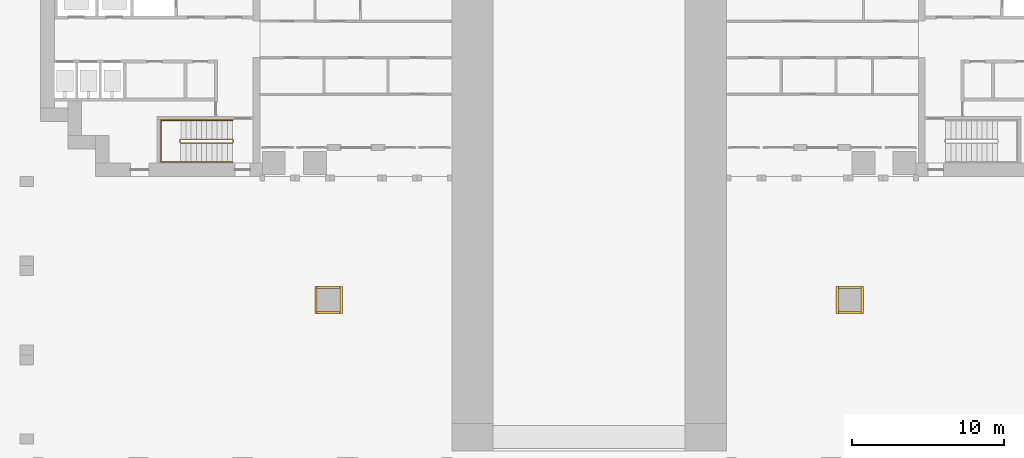
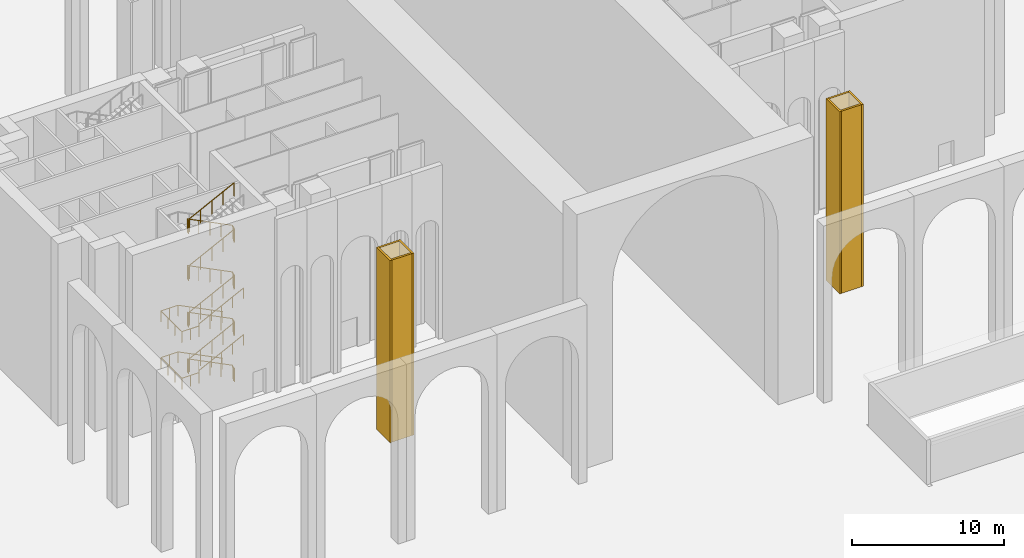
# One storey, part 12 of 18: 8 coverings, 3 railings.
"""IFC4 building model written with IfcOpenShell, lengths in metres."""

import ifcopenshell
import ifcopenshell.guid

model = None  # the IFC model being written
_history = None  # IfcOwnerHistory: only IFC2X3 demands one
_inside = {}  # id of a spatial element -> (the spatial element, [elements in it])
_under = {}  # id of a project, library or spatial element -> (it, [spatial elements below it])
_declared = {}  # id of a project -> (the project, [libraries it declares])
_typed = {}  # id of a type object -> (the type object, [elements of that type])
_made_of = {}  # id of a material, layer set ... -> (it, [elements and type objects made of it])


def new_model(schema):
    """Start an empty IFC model of exactly this schema.

    Asked for "IFC4X3", IfcOpenShell would pick the latest addendum, in which some entities
    have other attributes; the version numbers below select the first issue.
    IFC2X3 requires an IfcOwnerHistory on every rooted entity: one is made here for all.
    """
    global model, _history
    if schema == "IFC4X3":
        model = ifcopenshell.file(schema_version=(4, 3, 0, 0))
    else:
        model = ifcopenshell.file(schema=schema)
    _inside.clear()
    _under.clear()
    _declared.clear()
    _typed.clear()
    _made_of.clear()
    _history = None
    if model.schema == "IFC2X3":
        org = make("IfcOrganization", Name="unknown")
        user = make(
            "IfcPersonAndOrganization",
            ThePerson=make("IfcPerson", FamilyName="unknown"),
            TheOrganization=org,
        )
        app = make(
            "IfcApplication",
            ApplicationDeveloper=org,
            Version="unknown",
            ApplicationFullName="unknown",
            ApplicationIdentifier="unknown",
        )
        _history = make(
            "IfcOwnerHistory",
            OwningUser=user,
            OwningApplication=app,
            ChangeAction="ADDED",
            CreationDate=0,
        )
    return model


def make(cls, **values):
    """One entity of the class cls with the attributes given. An attribute that is None is left unset."""
    return model.create_entity(
        cls, **{name: value for name, value in values.items() if value is not None}
    )


def rooted(cls, **values):
    """An entity with a GlobalId (a new one), such as an element, a storey or a relation."""
    return make(cls, GlobalId=ifcopenshell.guid.new(), OwnerHistory=_history, **values)


def si_unit(unit_type, name, prefix=None):
    """IfcSIUnit, for example si_unit("LENGTHUNIT", "METRE", prefix="MILLI")."""
    return make("IfcSIUnit", UnitType=unit_type, Prefix=prefix, Name=name)


def assignment(units):
    """IfcUnitAssignment: the units of a project."""
    return None if units is None else make("IfcUnitAssignment", Units=units)


def point(xyz):
    """IfcCartesianPoint."""
    return None if xyz is None else make("IfcCartesianPoint", Coordinates=xyz)


def direction(xyz):
    """IfcDirection."""
    return None if xyz is None else make("IfcDirection", DirectionRatios=xyz)


def frame(location, z_axis=None, x_axis=None):
    """IfcAxis2Placement3D, a coordinate frame: its origin and axes. An axis left out is left unset."""
    return make(
        "IfcAxis2Placement3D",
        Location=point(location),
        Axis=direction(z_axis),
        RefDirection=direction(x_axis),
    )


def frame_2d(location, x_axis=None):
    """IfcAxis2Placement2D, a coordinate frame in the plane: its origin and x axis."""
    return make(
        "IfcAxis2Placement2D", Location=point(location), RefDirection=direction(x_axis)
    )


def origin():
    """The frame at (0, 0, 0) with its axes left unset."""
    return frame((0.0, 0.0, 0.0))


def origin_2d():
    """The frame at (0, 0) in the plane with its x axis left unset."""
    return frame_2d((0.0, 0.0))


def place(relative_to, where):
    """IfcLocalPlacement: puts the frame where relative to a parent placement (None: the world)."""
    return make(
        "IfcLocalPlacement", PlacementRelTo=relative_to, RelativePlacement=where
    )


def context(
    kind, dimensions, precision=None, world=None, true_north=None, identifier=None
):
    """IfcGeometricRepresentationContext, for example the 3D "Model" context."""
    return make(
        "IfcGeometricRepresentationContext",
        ContextIdentifier=identifier,
        ContextType=kind,
        CoordinateSpaceDimension=dimensions,
        Precision=precision,
        WorldCoordinateSystem=world,
        TrueNorth=true_north,
    )


def subcontext(parent, identifier, kind, view, scale=None):
    """IfcGeometricRepresentationSubContext, for example "Body" below "Model"."""
    return make(
        "IfcGeometricRepresentationSubContext",
        ContextIdentifier=identifier,
        ContextType=kind,
        ParentContext=parent,
        TargetScale=scale,
        TargetView=view,
    )


def project(units=None, contexts=None):
    """IfcProject with its units and contexts."""
    return rooted(
        "IfcProject",
        Name="project",
        RepresentationContexts=contexts,
        UnitsInContext=assignment(units),
    )


def spatial(cls, under=None, at=None, **own):
    """A site, building, storey or space (cls), placed at a placement, below another one or the project."""
    s = rooted(cls, ObjectPlacement=at, **own)
    if under is not None:
        _under.setdefault(under.id(), (under, []))[1].append(s)
    return s


def profile(cls, at=None, kind="AREA", **sizes):
    """A parametric profile (cls). Its sizes go by their IFC names, for example OverallWidth=200.0."""
    return make(cls, ProfileType=kind, Position=at, **sizes)


def rectangle(**sizes):
    """IfcRectangleProfileDef."""
    return profile("IfcRectangleProfileDef", **sizes)


def extrude(swept, where, along, depth):
    """IfcExtrudedAreaSolid: the profile swept, set in the frame where, extruded along a direction by depth."""
    return make(
        "IfcExtrudedAreaSolid",
        SweptArea=swept,
        Position=where,
        ExtrudedDirection=direction(along),
        Depth=depth,
    )


def shape(context_of_items, identifier, shape_type, items):
    """IfcShapeRepresentation: the items that make up one representation, for example the "Body"."""
    return make(
        "IfcShapeRepresentation",
        ContextOfItems=context_of_items,
        RepresentationIdentifier=identifier,
        RepresentationType=shape_type,
        Items=items,
    )


def material(Name=None, Category=None):
    """IfcMaterial."""
    return make("IfcMaterial", Name=Name, Category=Category)


def layer(
    of_material, thickness, ventilated=None, Name=None, Category=None, Priority=None
):
    """IfcMaterialLayer: one layer of a wall or slab, of a material (None: an air gap)."""
    return make(
        "IfcMaterialLayer",
        Material=of_material,
        LayerThickness=thickness,
        IsVentilated=ventilated,
        Name=Name,
        Category=Category,
        Priority=Priority,
    )


def layer_set(layers, Name=None):
    """IfcMaterialLayerSet."""
    return make("IfcMaterialLayerSet", MaterialLayers=layers, LayerSetName=Name)


def made_of(thing, what):
    """Note that an element or type object is made of a material, layer set ...; save() writes the relation."""
    if what is not None:
        _made_of.setdefault(what.id(), (what, []))[1].append(thing)
    return thing


def type_object(cls, material=None, **own):
    """A type object (cls), such as IfcWallType, which elements share."""
    return made_of(rooted(cls, **own), material)


def element(
    cls,
    number,
    at=None,
    inside=None,
    cuts=None,
    type_object=None,
    material=None,
    context=None,
    identifier="Body",
    shape_type=None,
    held_by="IfcProductDefinitionShape",
    body=None,
    shapes=None,
    **own,
):
    """One element of the class cls, such as IfcWall. Its Tag is "e" and its number.

    at: its placement. inside: the storey or other place that contains it. cuts: it is an
    opening in that element (IfcRelVoidsElement). A single representation is given by context,
    identifier, shape_type and body (its items); several are given by shapes. held_by: the class
    of the entity that holds the representations. save() writes the other relations.
    """
    e = rooted(cls, Tag="e%d" % number, ObjectPlacement=at, **own)
    if body is not None:
        shapes = [shape(context, identifier, shape_type, body)]
    if shapes is not None:
        e.Representation = make(held_by, Representations=shapes)
    if inside is not None:
        _inside.setdefault(inside.id(), (inside, []))[1].append(e)
    if cuts is not None:
        rooted(
            "IfcRelVoidsElement", RelatingBuildingElement=cuts, RelatedOpeningElement=e
        )
    if type_object is not None:
        _typed.setdefault(type_object.id(), (type_object, []))[1].append(e)
    return made_of(e, material)


def aggregate(whole, parts):
    """IfcRelAggregates: a whole, such as a stair, and the parts it consists of."""
    return rooted("IfcRelAggregates", RelatingObject=whole, RelatedObjects=parts)


def save(model, path):
    """Write the relations noted so far, then the file.

    IfcRelAggregates (storeys below a building ...), IfcRelContainedInSpatialStructure (elements
    in a storey), IfcRelDefinesByType, IfcRelAssociatesMaterial and IfcRelDeclares: one each for
    every whole, place, type object, material and project.
    """
    for whole, parts in _under.values():
        aggregate(whole, parts)
    for where, things in _inside.values():
        rooted(
            "IfcRelContainedInSpatialStructure",
            RelatedElements=things,
            RelatingStructure=where,
        )
    for kind, things in _typed.values():
        rooted("IfcRelDefinesByType", RelatedObjects=things, RelatingType=kind)
    for what, things in _made_of.values():
        rooted("IfcRelAssociatesMaterial", RelatedObjects=things, RelatingMaterial=what)
    for by, libraries in _declared.values():
        rooted("IfcRelDeclares", RelatingContext=by, RelatedDefinitions=libraries)
    model.write(path)


model = new_model("IFC4")

# Units and contexts
model_context = context("Model", 3, precision=1e-05, world=origin(), true_north=direction((0.0, 1.0)))
body_context = subcontext(model_context, "Body", "Model", "MODEL_VIEW")
ifc_project = project(units=[si_unit("LENGTHUNIT", "METRE"), si_unit("AREAUNIT", "SQUARE_METRE"), si_unit("VOLUMEUNIT", "CUBIC_METRE"), si_unit("PLANEANGLEUNIT", "RADIAN"), si_unit("MASSUNIT", "GRAM", prefix="KILO")], contexts=[model_context])

# Site, building, storey
site_placement = place(None, origin())
site = spatial("IfcSite", under=ifc_project, at=site_placement, CompositionType="ELEMENT")
building_placement = place(site_placement, origin())
building = spatial("IfcBuilding", under=site, at=building_placement, Name="Perihelion Cross Residences", CompositionType="ELEMENT")
storey_placement = place(building_placement, origin())
storey = spatial("IfcBuildingStorey", under=building, at=storey_placement, Name="L00", CompositionType="ELEMENT", Elevation=0.0)

# Coverings
ifc_material_1 = material(Name="Bronze anodised aluminium", Category="aluminium")
ifc_layer = layer(ifc_material_1, 0.14990234375)
ifc_layer_set = layer_set([ifc_layer], Name="Bronze clad corner pier 150")
covering_type = type_object("IfcCoveringType", Name="Bronze clad corner pier 150", PredefinedType="CLADDING", material=ifc_layer_set)
covering_1_placement = place(storey_placement, frame((-17.925048828125, -17.10009765625, 0.06005859375), z_axis=(0.0, 0.0, 1.0), x_axis=(1.0, 0.0, 0.0)))
element("IfcCovering", 1, at=covering_1_placement, inside=storey, type_object=covering_type, Name="Cladding CP1 L00 casing east-west no. 1", PredefinedType="CLADDING", context=body_context, shape_type="SweptSolid", body=[
    extrude(rectangle(XDim=0.14990234375, YDim=1.800048828125, at=origin_2d()), origin(), (0.0, 0.0, 1.0), 14.639892578125),
])
covering_2_placement = place(storey_placement, frame((-17.10009765625, -17.925048828125, 0.06005859375), z_axis=(0.0, 0.0, 1.0), x_axis=(1.0, 0.0, 0.0)))
element("IfcCovering", 2, at=covering_2_placement, inside=storey, type_object=covering_type, Name="Cladding CP1 L00 casing north-south no. 1", PredefinedType="CLADDING", context=body_context, shape_type="SweptSolid", body=[
    extrude(rectangle(XDim=1.5, YDim=0.14990234375, at=origin_2d()), origin(), (0.0, 0.0, 1.0), 14.639892578125),
])
covering_3_placement = place(storey_placement, frame((-16.27490234375, -17.10009765625, 0.06005859375), z_axis=(0.0, 0.0, 1.0), x_axis=(1.0, 0.0, 0.0)))
element("IfcCovering", 3, at=covering_3_placement, inside=storey, type_object=covering_type, Name="Cladding CP1 L00 casing inner east-west no. 1", PredefinedType="CLADDING", context=body_context, shape_type="SweptSolid", body=[
    extrude(rectangle(XDim=0.14990234375, YDim=1.800048828125, at=origin_2d()), origin(), (0.0, 0.0, 1.0), 14.639892578125),
])
covering_4_placement = place(storey_placement, frame((-17.10009765625, -16.27490234375, 0.06005859375), z_axis=(0.0, 0.0, 1.0), x_axis=(1.0, 0.0, 0.0)))
element("IfcCovering", 4, at=covering_4_placement, inside=storey, type_object=covering_type, Name="Cladding CP1 L00 casing inner north-south no. 1", PredefinedType="CLADDING", context=body_context, shape_type="SweptSolid", body=[
    extrude(rectangle(XDim=1.5, YDim=0.14990234375, at=origin_2d()), origin(), (0.0, 0.0, 1.0), 14.639892578125),
])
covering_5_placement = place(storey_placement, frame((17.925048828125, -17.10009765625, 0.06005859375), z_axis=(0.0, 0.0, 1.0), x_axis=(1.0, 0.0, 0.0)))
element("IfcCovering", 5, at=covering_5_placement, inside=storey, type_object=covering_type, Name="Cladding CP1 L00 casing east-west no. 3", PredefinedType="CLADDING", context=body_context, shape_type="SweptSolid", body=[
    extrude(rectangle(XDim=0.14990234375, YDim=1.800048828125, at=origin_2d()), origin(), (0.0, 0.0, 1.0), 14.639892578125),
])
covering_6_placement = place(storey_placement, frame((17.10009765625, -17.925048828125, 0.06005859375), z_axis=(0.0, 0.0, 1.0), x_axis=(1.0, 0.0, 0.0)))
element("IfcCovering", 6, at=covering_6_placement, inside=storey, type_object=covering_type, Name="Cladding CP1 L00 casing north-south no. 3", PredefinedType="CLADDING", context=body_context, shape_type="SweptSolid", body=[
    extrude(rectangle(XDim=1.5, YDim=0.14990234375, at=origin_2d()), origin(), (0.0, 0.0, 1.0), 14.639892578125),
])
covering_7_placement = place(storey_placement, frame((16.27490234375, -17.10009765625, 0.06005859375), z_axis=(0.0, 0.0, 1.0), x_axis=(1.0, 0.0, 0.0)))
element("IfcCovering", 7, at=covering_7_placement, inside=storey, type_object=covering_type, Name="Cladding CP1 L00 casing inner east-west no. 3", PredefinedType="CLADDING", context=body_context, shape_type="SweptSolid", body=[
    extrude(rectangle(XDim=0.14990234375, YDim=1.800048828125, at=origin_2d()), origin(), (0.0, 0.0, 1.0), 14.639892578125),
])
covering_8_placement = place(storey_placement, frame((17.10009765625, -16.27490234375, 0.06005859375), z_axis=(0.0, 0.0, 1.0), x_axis=(1.0, 0.0, 0.0)))
element("IfcCovering", 8, at=covering_8_placement, inside=storey, type_object=covering_type, Name="Cladding CP1 L00 casing inner north-south no. 3", PredefinedType="CLADDING", context=body_context, shape_type="SweptSolid", body=[
    extrude(rectangle(XDim=1.5, YDim=0.14990234375, at=origin_2d()), origin(), (0.0, 0.0, 1.0), 14.639892578125),
])

# Railings
ifc_material_2 = material(Name="Stainless steel", Category="steel")
railing_type_1 = type_object("IfcRailingType", Name="Stair guard 1100", PredefinedType="GUARDRAIL", material=ifc_material_2)
railing_1_placement = place(storey_placement, frame((-23.35009765625, -6.75, 0.0)))
element("IfcRailing", 9, at=railing_1_placement, inside=storey, type_object=railing_type_1, Name="L00 ST-W2 stair guard 1", PredefinedType="GUARDRAIL", context=body_context, shape_type="SweptSolid", body=[
    extrude(rectangle(XDim=0.048095703125, YDim=0.048095703125, at=origin_2d()), frame((0.0, 0.0, 1.076171875), z_axis=(0.0, 1.0, 0.0), x_axis=(-1.0, 0.0, 0.0)), (0.0, 0.0, 1.0), 0.14990234375),
    extrude(rectangle(XDim=0.048095703125, YDim=0.048095703125, at=origin_2d()), frame((0.0, 0.14990234375, 1.076171875), z_axis=(-0.270004540015, 0.271328091682, 0.923839063385), x_axis=(-0.708833529934, -0.705375805398, 0.0)), (0.0, 0.0, 1.0), 0.1845703125),
    extrude(rectangle(XDim=0.048095703125, YDim=0.048095703125, at=origin_2d()), frame((-0.0498046875, 0.199951171875, 1.24658203125), z_axis=(-0.893951692422, 0.0, 0.448163331406), x_axis=(0.0, -1.0, 0.0)), (0.0, 0.0, 1.0), 3.803466796875),
    extrude(rectangle(XDim=0.048095703125, YDim=0.048095703125, at=origin_2d()), frame((-3.449951171875, 0.199951171875, 2.951171875), z_axis=(-0.707106781187, -0.707106781187, 0.0), x_axis=(0.707106781187, -0.707106781187, 0.0)), (0.0, 0.0, 1.0), 0.07080078125),
    extrude(rectangle(XDim=0.048095703125, YDim=0.048095703125, at=origin_2d()), frame((-3.5, 0.14990234375, 2.951171875), z_axis=(0.0, -1.0, 0.0), x_axis=(1.0, 0.0, 0.0)), (0.0, 0.0, 1.0), 0.14990234375),
    extrude(rectangle(XDim=0.048095703125, YDim=0.048095703125, at=origin_2d()), frame((-3.5, 0.0, 2.951171875), z_axis=(0.271230943075, -0.271230943075, 0.923508284228), x_axis=(0.707106781187, 0.707106781187, 0.0)), (0.0, 0.0, 1.0), 0.1845703125),
    extrude(rectangle(XDim=0.048095703125, YDim=0.048095703125, at=origin_2d()), frame((-3.449951171875, -0.050048828125, 3.12158203125), z_axis=(0.893951692422, 0.0, 0.448163331406), x_axis=(0.0, 1.0, 0.0)), (0.0, 0.0, 1.0), 3.803466796875),
    extrude(rectangle(XDim=0.048095703125, YDim=0.048095703125, at=origin_2d()), frame((-0.0498046875, -0.050048828125, 4.826171875), z_axis=(0.241699205484, 0.970351222016, 0.0), x_axis=(-0.970351222016, 0.241699205484, 0.0)), (0.0, 0.0, 1.0), 0.2060546875),
    extrude(rectangle(XDim=0.048095703125, YDim=0.048095703125, at=origin_2d()), frame((0.0, 0.14990234375, 4.826171875), z_axis=(0.0, -1.0, 0.0), x_axis=(1.0, 0.0, 0.0)), (0.0, 0.0, 1.0), 0.14990234375),
    extrude(rectangle(XDim=0.048095703125, YDim=0.048095703125, at=origin_2d()), frame((0.0, 0.0, 4.826171875), z_axis=(-0.186258189966, 0.747771850895, 0.637295179395), x_axis=(-0.970351222016, -0.241699205484, 0.0)), (0.0, 0.0, 1.0), 0.267333984375),
    extrude(rectangle(XDim=0.048095703125, YDim=0.048095703125, at=origin_2d()), frame((-0.0498046875, 0.199951171875, 4.99658203125), z_axis=(-0.893951692422, 0.0, 0.448163331406), x_axis=(0.0, -1.0, 0.0)), (0.0, 0.0, 1.0), 3.803466796875),
    extrude(rectangle(XDim=0.048095703125, YDim=0.048095703125, at=origin_2d()), frame((-3.449951171875, 0.199951171875, 6.701171875), z_axis=(-0.707106781187, -0.707106781187, 0.0), x_axis=(0.707106781187, -0.707106781187, 0.0)), (0.0, 0.0, 1.0), 0.07080078125),
    extrude(rectangle(XDim=0.048095703125, YDim=0.048095703125, at=origin_2d()), frame((-3.5, 0.14990234375, 6.701171875), z_axis=(0.0, -1.0, 0.0), x_axis=(1.0, 0.0, 0.0)), (0.0, 0.0, 1.0), 0.14990234375),
    extrude(rectangle(XDim=0.048095703125, YDim=0.048095703125, at=origin_2d()), frame((-3.5, 0.0, 6.701171875), z_axis=(0.271230943075, -0.271230943075, 0.923508284228), x_axis=(0.707106781187, 0.707106781187, 0.0)), (0.0, 0.0, 1.0), 0.1845703125),
    extrude(rectangle(XDim=0.048095703125, YDim=0.048095703125, at=origin_2d()), frame((-3.449951171875, -0.050048828125, 6.87158203125), z_axis=(0.893951692422, 0.0, 0.448163331406), x_axis=(0.0, 1.0, 0.0)), (0.0, 0.0, 1.0), 3.803466796875),
    extrude(rectangle(XDim=0.048095703125, YDim=0.048095703125, at=origin_2d()), frame((-0.0498046875, -0.050048828125, 8.576171875), z_axis=(0.241699205484, 0.970351222016, 0.0), x_axis=(-0.970351222016, 0.241699205484, 0.0)), (0.0, 0.0, 1.0), 0.2060546875),
    extrude(rectangle(XDim=0.048095703125, YDim=0.048095703125, at=origin_2d()), frame((0.0, 0.14990234375, 8.576171875), z_axis=(0.0, -1.0, 0.0), x_axis=(1.0, 0.0, 0.0)), (0.0, 0.0, 1.0), 0.14990234375),
    extrude(rectangle(XDim=0.048095703125, YDim=0.048095703125, at=origin_2d()), frame((0.0, 0.0, 8.576171875), z_axis=(-0.186258189966, 0.747771850895, 0.637295179395), x_axis=(-0.970351222016, -0.241699205484, 0.0)), (0.0, 0.0, 1.0), 0.267333984375),
    extrude(rectangle(XDim=0.048095703125, YDim=0.048095703125, at=origin_2d()), frame((-0.0498046875, 0.199951171875, 8.74658203125), z_axis=(-0.893951692422, 0.0, 0.448163331406), x_axis=(0.0, -1.0, 0.0)), (0.0, 0.0, 1.0), 3.803466796875),
    extrude(rectangle(XDim=0.048095703125, YDim=0.048095703125, at=origin_2d()), frame((-3.449951171875, 0.199951171875, 10.451171875), z_axis=(-0.707106781187, -0.707106781187, 0.0), x_axis=(0.707106781187, -0.707106781187, 0.0)), (0.0, 0.0, 1.0), 0.07080078125),
    extrude(rectangle(XDim=0.048095703125, YDim=0.048095703125, at=origin_2d()), frame((-3.5, 0.14990234375, 10.451171875), z_axis=(0.0, -1.0, 0.0), x_axis=(1.0, 0.0, 0.0)), (0.0, 0.0, 1.0), 0.14990234375),
    extrude(rectangle(XDim=0.048095703125, YDim=0.048095703125, at=origin_2d()), frame((-3.5, 0.0, 10.451171875), z_axis=(0.271230943075, -0.271230943075, 0.923508284228), x_axis=(0.707106781187, 0.707106781187, 0.0)), (0.0, 0.0, 1.0), 0.1845703125),
    extrude(rectangle(XDim=0.048095703125, YDim=0.048095703125, at=origin_2d()), frame((-3.449951171875, -0.050048828125, 10.62158203125), z_axis=(0.893951692422, 0.0, 0.448163331406), x_axis=(0.0, 1.0, 0.0)), (0.0, 0.0, 1.0), 3.803466796875),
    extrude(rectangle(XDim=0.048095703125, YDim=0.048095703125, at=origin_2d()), frame((-0.0498046875, -0.050048828125, 12.326171875), z_axis=(0.241699205484, 0.970351222016, 0.0), x_axis=(-0.970351222016, 0.241699205484, 0.0)), (0.0, 0.0, 1.0), 0.2060546875),
    extrude(rectangle(XDim=0.048095703125, YDim=0.048095703125, at=origin_2d()), frame((0.0, 0.14990234375, 12.326171875), z_axis=(0.0, -1.0, 0.0), x_axis=(1.0, 0.0, 0.0)), (0.0, 0.0, 1.0), 0.14990234375),
    extrude(rectangle(XDim=0.048095703125, YDim=0.048095703125, at=origin_2d()), frame((0.0, 0.0, 12.326171875), z_axis=(-0.186258189966, 0.747771850895, 0.637295179395), x_axis=(-0.970351222016, -0.241699205484, 0.0)), (0.0, 0.0, 1.0), 0.267333984375),
    extrude(rectangle(XDim=0.048095703125, YDim=0.048095703125, at=origin_2d()), frame((-0.0498046875, 0.199951171875, 12.49658203125), z_axis=(-0.893951692422, 0.0, 0.448163331406), x_axis=(0.0, -1.0, 0.0)), (0.0, 0.0, 1.0), 3.803466796875),
    extrude(rectangle(XDim=0.048095703125, YDim=0.048095703125, at=origin_2d()), frame((-3.449951171875, 0.199951171875, 14.201171875), z_axis=(-0.707106781187, -0.707106781187, 0.0), x_axis=(0.707106781187, -0.707106781187, 0.0)), (0.0, 0.0, 1.0), 0.07080078125),
    extrude(rectangle(XDim=0.048095703125, YDim=0.048095703125, at=origin_2d()), frame((-3.5, 0.14990234375, 14.201171875), z_axis=(0.0, -1.0, 0.0), x_axis=(1.0, 0.0, 0.0)), (0.0, 0.0, 1.0), 0.14990234375),
    extrude(rectangle(XDim=0.048095703125, YDim=0.048095703125, at=origin_2d()), frame((-3.5, 0.0, 14.201171875), z_axis=(0.271230943075, -0.271230943075, 0.923508284228), x_axis=(0.707106781187, 0.707106781187, 0.0)), (0.0, 0.0, 1.0), 0.1845703125),
    extrude(rectangle(XDim=0.048095703125, YDim=0.048095703125, at=origin_2d()), frame((-3.449951171875, -0.050048828125, 14.37158203125), z_axis=(0.893951692422, 0.0, 0.448163331406), x_axis=(0.0, 1.0, 0.0)), (0.0, 0.0, 1.0), 3.803466796875),
    extrude(rectangle(XDim=0.0419921875, YDim=0.0419921875, at=origin_2d()), origin(), (0.0, 0.0, 1.0), 1.052001953125),
    extrude(rectangle(XDim=0.0419921875, YDim=0.0419921875, at=origin_2d()), frame((0.0, 0.14990234375, 0.0)), (0.0, 0.0, 1.0), 1.052001953125),
    extrude(rectangle(XDim=0.0419921875, YDim=0.0419921875, at=origin_2d()), frame((-0.0498046875, 0.199951171875, 0.17041015625)), (0.0, 0.0, 1.0), 1.052001953125),
    extrude(rectangle(XDim=0.0419921875, YDim=0.0419921875, at=origin_2d()), frame((-0.89990234375, 0.199951171875, 0.5966796875)), (0.0, 0.0, 1.0), 1.052001953125),
    extrude(rectangle(XDim=0.0419921875, YDim=0.0419921875, at=origin_2d()), frame((-1.75, 0.199951171875, 1.022705078125)), (0.0, 0.0, 1.0), 1.052001953125),
    extrude(rectangle(XDim=0.0419921875, YDim=0.0419921875, at=origin_2d()), frame((-2.599853515625, 0.199951171875, 1.44873046875)), (0.0, 0.0, 1.0), 1.052001953125),
    extrude(rectangle(XDim=0.0419921875, YDim=0.0419921875, at=origin_2d()), frame((-3.449951171875, 0.199951171875, 1.875)), (0.0, 0.0, 1.0), 1.052001953125),
    extrude(rectangle(XDim=0.0419921875, YDim=0.0419921875, at=origin_2d()), frame((-3.5, 0.14990234375, 1.875)), (0.0, 0.0, 1.0), 1.052001953125),
    extrude(rectangle(XDim=0.0419921875, YDim=0.0419921875, at=origin_2d()), frame((-3.5, 0.0, 1.875)), (0.0, 0.0, 1.0), 1.052001953125),
    extrude(rectangle(XDim=0.0419921875, YDim=0.0419921875, at=origin_2d()), frame((-3.449951171875, -0.050048828125, 2.04541015625)), (0.0, 0.0, 1.0), 1.052001953125),
    extrude(rectangle(XDim=0.0419921875, YDim=0.0419921875, at=origin_2d()), frame((-2.599853515625, -0.050048828125, 2.4716796875)), (0.0, 0.0, 1.0), 1.052001953125),
    extrude(rectangle(XDim=0.0419921875, YDim=0.0419921875, at=origin_2d()), frame((-1.75, -0.050048828125, 2.897705078125)), (0.0, 0.0, 1.0), 1.052001953125),
    extrude(rectangle(XDim=0.0419921875, YDim=0.0419921875, at=origin_2d()), frame((-0.89990234375, -0.050048828125, 3.32373046875)), (0.0, 0.0, 1.0), 1.052001953125),
    extrude(rectangle(XDim=0.0419921875, YDim=0.0419921875, at=origin_2d()), frame((-0.0498046875, -0.050048828125, 3.75)), (0.0, 0.0, 1.0), 1.052001953125),
    extrude(rectangle(XDim=0.0419921875, YDim=0.0419921875, at=origin_2d()), frame((0.0, 0.14990234375, 3.75)), (0.0, 0.0, 1.0), 1.052001953125),
    extrude(rectangle(XDim=0.0419921875, YDim=0.0419921875, at=origin_2d()), frame((0.0, 0.0, 3.75)), (0.0, 0.0, 1.0), 1.052001953125),
    extrude(rectangle(XDim=0.0419921875, YDim=0.0419921875, at=origin_2d()), frame((-0.0498046875, 0.199951171875, 3.92041015625)), (0.0, 0.0, 1.0), 1.052001953125),
    extrude(rectangle(XDim=0.0419921875, YDim=0.0419921875, at=origin_2d()), frame((-0.89990234375, 0.199951171875, 4.3466796875)), (0.0, 0.0, 1.0), 1.052001953125),
    extrude(rectangle(XDim=0.0419921875, YDim=0.0419921875, at=origin_2d()), frame((-1.75, 0.199951171875, 4.772705078125)), (0.0, 0.0, 1.0), 1.052001953125),
    extrude(rectangle(XDim=0.0419921875, YDim=0.0419921875, at=origin_2d()), frame((-2.599853515625, 0.199951171875, 5.19873046875)), (0.0, 0.0, 1.0), 1.052001953125),
    extrude(rectangle(XDim=0.0419921875, YDim=0.0419921875, at=origin_2d()), frame((-3.449951171875, 0.199951171875, 5.625)), (0.0, 0.0, 1.0), 1.052001953125),
    extrude(rectangle(XDim=0.0419921875, YDim=0.0419921875, at=origin_2d()), frame((-3.5, 0.14990234375, 5.625)), (0.0, 0.0, 1.0), 1.052001953125),
    extrude(rectangle(XDim=0.0419921875, YDim=0.0419921875, at=origin_2d()), frame((-3.5, 0.0, 5.625)), (0.0, 0.0, 1.0), 1.052001953125),
    extrude(rectangle(XDim=0.0419921875, YDim=0.0419921875, at=origin_2d()), frame((-3.449951171875, -0.050048828125, 5.79541015625)), (0.0, 0.0, 1.0), 1.052001953125),
    extrude(rectangle(XDim=0.0419921875, YDim=0.0419921875, at=origin_2d()), frame((-2.599853515625, -0.050048828125, 6.2216796875)), (0.0, 0.0, 1.0), 1.052001953125),
    extrude(rectangle(XDim=0.0419921875, YDim=0.0419921875, at=origin_2d()), frame((-1.75, -0.050048828125, 6.647705078125)), (0.0, 0.0, 1.0), 1.052001953125),
    extrude(rectangle(XDim=0.0419921875, YDim=0.0419921875, at=origin_2d()), frame((-0.89990234375, -0.050048828125, 7.07373046875)), (0.0, 0.0, 1.0), 1.052001953125),
    extrude(rectangle(XDim=0.0419921875, YDim=0.0419921875, at=origin_2d()), frame((-0.0498046875, -0.050048828125, 7.5)), (0.0, 0.0, 1.0), 1.052001953125),
    extrude(rectangle(XDim=0.0419921875, YDim=0.0419921875, at=origin_2d()), frame((0.0, 0.14990234375, 7.5)), (0.0, 0.0, 1.0), 1.052001953125),
    extrude(rectangle(XDim=0.0419921875, YDim=0.0419921875, at=origin_2d()), frame((0.0, 0.0, 7.5)), (0.0, 0.0, 1.0), 1.052001953125),
    extrude(rectangle(XDim=0.0419921875, YDim=0.0419921875, at=origin_2d()), frame((-0.0498046875, 0.199951171875, 7.67041015625)), (0.0, 0.0, 1.0), 1.052001953125),
    extrude(rectangle(XDim=0.0419921875, YDim=0.0419921875, at=origin_2d()), frame((-0.89990234375, 0.199951171875, 8.0966796875)), (0.0, 0.0, 1.0), 1.052001953125),
    extrude(rectangle(XDim=0.0419921875, YDim=0.0419921875, at=origin_2d()), frame((-1.75, 0.199951171875, 8.522705078125)), (0.0, 0.0, 1.0), 1.052001953125),
    extrude(rectangle(XDim=0.0419921875, YDim=0.0419921875, at=origin_2d()), frame((-2.599853515625, 0.199951171875, 8.94873046875)), (0.0, 0.0, 1.0), 1.052001953125),
    extrude(rectangle(XDim=0.0419921875, YDim=0.0419921875, at=origin_2d()), frame((-3.449951171875, 0.199951171875, 9.375)), (0.0, 0.0, 1.0), 1.052001953125),
    extrude(rectangle(XDim=0.0419921875, YDim=0.0419921875, at=origin_2d()), frame((-3.5, 0.14990234375, 9.375)), (0.0, 0.0, 1.0), 1.052001953125),
    extrude(rectangle(XDim=0.0419921875, YDim=0.0419921875, at=origin_2d()), frame((-3.5, 0.0, 9.375)), (0.0, 0.0, 1.0), 1.052001953125),
    extrude(rectangle(XDim=0.0419921875, YDim=0.0419921875, at=origin_2d()), frame((-3.449951171875, -0.050048828125, 9.54541015625)), (0.0, 0.0, 1.0), 1.052001953125),
    extrude(rectangle(XDim=0.0419921875, YDim=0.0419921875, at=origin_2d()), frame((-2.599853515625, -0.050048828125, 9.9716796875)), (0.0, 0.0, 1.0), 1.052001953125),
    extrude(rectangle(XDim=0.0419921875, YDim=0.0419921875, at=origin_2d()), frame((-1.75, -0.050048828125, 10.397705078125)), (0.0, 0.0, 1.0), 1.052001953125),
    extrude(rectangle(XDim=0.0419921875, YDim=0.0419921875, at=origin_2d()), frame((-0.89990234375, -0.050048828125, 10.82373046875)), (0.0, 0.0, 1.0), 1.052001953125),
    extrude(rectangle(XDim=0.0419921875, YDim=0.0419921875, at=origin_2d()), frame((-0.0498046875, -0.050048828125, 11.25)), (0.0, 0.0, 1.0), 1.052001953125),
    extrude(rectangle(XDim=0.0419921875, YDim=0.0419921875, at=origin_2d()), frame((0.0, 0.14990234375, 11.25)), (0.0, 0.0, 1.0), 1.052001953125),
    extrude(rectangle(XDim=0.0419921875, YDim=0.0419921875, at=origin_2d()), frame((0.0, 0.0, 11.25)), (0.0, 0.0, 1.0), 1.052001953125),
    extrude(rectangle(XDim=0.0419921875, YDim=0.0419921875, at=origin_2d()), frame((-0.0498046875, 0.199951171875, 11.42041015625)), (0.0, 0.0, 1.0), 1.052001953125),
    extrude(rectangle(XDim=0.0419921875, YDim=0.0419921875, at=origin_2d()), frame((-0.89990234375, 0.199951171875, 11.8466796875)), (0.0, 0.0, 1.0), 1.052001953125),
    extrude(rectangle(XDim=0.0419921875, YDim=0.0419921875, at=origin_2d()), frame((-1.75, 0.199951171875, 12.272705078125)), (0.0, 0.0, 1.0), 1.052001953125),
    extrude(rectangle(XDim=0.0419921875, YDim=0.0419921875, at=origin_2d()), frame((-2.599853515625, 0.199951171875, 12.69873046875)), (0.0, 0.0, 1.0), 1.052001953125),
    extrude(rectangle(XDim=0.0419921875, YDim=0.0419921875, at=origin_2d()), frame((-3.449951171875, 0.199951171875, 13.125)), (0.0, 0.0, 1.0), 1.052001953125),
    extrude(rectangle(XDim=0.0419921875, YDim=0.0419921875, at=origin_2d()), frame((-3.5, 0.14990234375, 13.125)), (0.0, 0.0, 1.0), 1.052001953125),
    extrude(rectangle(XDim=0.0419921875, YDim=0.0419921875, at=origin_2d()), frame((-3.5, 0.0, 13.125)), (0.0, 0.0, 1.0), 1.052001953125),
    extrude(rectangle(XDim=0.0419921875, YDim=0.0419921875, at=origin_2d()), frame((-3.449951171875, -0.050048828125, 13.29541015625)), (0.0, 0.0, 1.0), 1.052001953125),
    extrude(rectangle(XDim=0.0419921875, YDim=0.0419921875, at=origin_2d()), frame((-2.599853515625, -0.050048828125, 13.7216796875)), (0.0, 0.0, 1.0), 1.052001953125),
    extrude(rectangle(XDim=0.0419921875, YDim=0.0419921875, at=origin_2d()), frame((-1.75, -0.050048828125, 14.147705078125)), (0.0, 0.0, 1.0), 1.052001953125),
    extrude(rectangle(XDim=0.0419921875, YDim=0.0419921875, at=origin_2d()), frame((-0.89990234375, -0.050048828125, 14.57373046875)), (0.0, 0.0, 1.0), 1.052001953125),
    extrude(rectangle(XDim=0.0419921875, YDim=0.0419921875, at=origin_2d()), frame((-0.0498046875, -0.050048828125, 15.0)), (0.0, 0.0, 1.0), 1.052001953125),
])
ifc_material_3 = material(Name="Stainless steel", Category="steel")
railing_type_2 = type_object("IfcRailingType", Name="Stair handrail 900", PredefinedType="HANDRAIL", material=ifc_material_3)
railing_2_placement = place(storey_placement, frame((-23.39990234375, -5.300048828125, 0.17041015625)))
element("IfcRailing", 10, at=railing_2_placement, inside=storey, type_object=railing_type_2, Name="L00 ST-W2 stair handrail 1", PredefinedType="HANDRAIL", context=body_context, shape_type="SweptSolid", body=[
    extrude(rectangle(XDim=0.048095703125, YDim=0.048095703125, at=origin_2d()), frame((0.0, 0.0, 0.8759765625), z_axis=(-0.893951692422, 0.0, 0.448163331406), x_axis=(0.0, -1.0, 0.0)), (0.0, 0.0, 1.0), 3.803466796875),
    extrude(rectangle(XDim=0.048095703125, YDim=0.048095703125, at=origin_2d()), frame((-3.400146484375, 0.0, 2.58056640625), z_axis=(-1.0, 0.0, 0.0), x_axis=(0.0, -1.0, 0.0)), (0.0, 0.0, 1.0), 1.300048828125),
    extrude(rectangle(XDim=0.048095703125, YDim=0.048095703125, at=origin_2d()), frame((-4.7001953125, 0.0, 2.58056640625), z_axis=(0.0, -1.0, 0.0), x_axis=(1.0, 0.0, 0.0)), (0.0, 0.0, 1.0), 2.75),
    extrude(rectangle(XDim=0.048095703125, YDim=0.048095703125, at=origin_2d()), frame((-4.7001953125, -2.75, 2.58056640625), z_axis=(1.0, 0.0, 0.0), x_axis=(0.0, 1.0, 0.0)), (0.0, 0.0, 1.0), 1.300048828125),
    extrude(rectangle(XDim=0.048095703125, YDim=0.048095703125, at=origin_2d()), frame((-3.400146484375, -2.75, 2.58056640625), z_axis=(0.0, 0.0, 1.0), x_axis=(1.0, 0.0, 0.0)), (0.0, 0.0, 1.0), 0.17041015625),
    extrude(rectangle(XDim=0.048095703125, YDim=0.048095703125, at=origin_2d()), frame((-3.400146484375, -2.75, 2.7509765625), z_axis=(0.893951692422, 0.0, 0.448163331406), x_axis=(0.0, 1.0, 0.0)), (0.0, 0.0, 1.0), 3.803466796875),
    extrude(rectangle(XDim=0.0419921875, YDim=0.0419921875, at=origin_2d()), origin(), (0.0, 0.0, 1.0), 0.851806640625),
    extrude(rectangle(XDim=0.0419921875, YDim=0.0419921875, at=origin_2d()), frame((-0.85009765625, 0.0, 0.42626953125)), (0.0, 0.0, 1.0), 0.851806640625),
    extrude(rectangle(XDim=0.0419921875, YDim=0.0419921875, at=origin_2d()), frame((-1.7001953125, 0.0, 0.852294921875)), (0.0, 0.0, 1.0), 0.851806640625),
    extrude(rectangle(XDim=0.0419921875, YDim=0.0419921875, at=origin_2d()), frame((-2.550048828125, 0.0, 1.2783203125)), (0.0, 0.0, 1.0), 0.851806640625),
    extrude(rectangle(XDim=0.0419921875, YDim=0.0419921875, at=origin_2d()), frame((-3.400146484375, 0.0, 1.70458984375)), (0.0, 0.0, 1.0), 0.851806640625),
    extrude(rectangle(XDim=0.0419921875, YDim=0.0419921875, at=origin_2d()), frame((-4.05029296875, 0.0, 1.70458984375)), (0.0, 0.0, 1.0), 0.851806640625),
    extrude(rectangle(XDim=0.0419921875, YDim=0.0419921875, at=origin_2d()), frame((-4.7001953125, 0.0, 1.70458984375)), (0.0, 0.0, 1.0), 0.851806640625),
    extrude(rectangle(XDim=0.0419921875, YDim=0.0419921875, at=origin_2d()), frame((-4.7001953125, -0.916748046875, 1.70458984375)), (0.0, 0.0, 1.0), 0.851806640625),
    extrude(rectangle(XDim=0.0419921875, YDim=0.0419921875, at=origin_2d()), frame((-4.7001953125, -1.833251953125, 1.70458984375)), (0.0, 0.0, 1.0), 0.851806640625),
    extrude(rectangle(XDim=0.0419921875, YDim=0.0419921875, at=origin_2d()), frame((-4.7001953125, -2.75, 1.70458984375)), (0.0, 0.0, 1.0), 0.851806640625),
    extrude(rectangle(XDim=0.0419921875, YDim=0.0419921875, at=origin_2d()), frame((-4.05029296875, -2.75, 1.70458984375)), (0.0, 0.0, 1.0), 0.851806640625),
    extrude(rectangle(XDim=0.0419921875, YDim=0.0419921875, at=origin_2d()), frame((-3.400146484375, -2.75, 1.70458984375)), (0.0, 0.0, 1.0), 0.851806640625),
    extrude(rectangle(XDim=0.0419921875, YDim=0.0419921875, at=origin_2d()), frame((-3.400146484375, -2.75, 1.875)), (0.0, 0.0, 1.0), 0.851806640625),
    extrude(rectangle(XDim=0.0419921875, YDim=0.0419921875, at=origin_2d()), frame((-2.550048828125, -2.75, 2.30126953125)), (0.0, 0.0, 1.0), 0.851806640625),
    extrude(rectangle(XDim=0.0419921875, YDim=0.0419921875, at=origin_2d()), frame((-1.7001953125, -2.75, 2.727294921875)), (0.0, 0.0, 1.0), 0.851806640625),
    extrude(rectangle(XDim=0.0419921875, YDim=0.0419921875, at=origin_2d()), frame((-0.85009765625, -2.75, 3.1533203125)), (0.0, 0.0, 1.0), 0.851806640625),
    extrude(rectangle(XDim=0.0419921875, YDim=0.0419921875, at=origin_2d()), frame((0.0, -2.75, 3.57958984375)), (0.0, 0.0, 1.0), 0.851806640625),
])
railing_3_placement = place(storey_placement, frame((-23.39990234375, -5.300048828125, 3.92041015625)))
element("IfcRailing", 11, at=railing_3_placement, inside=storey, type_object=railing_type_2, Name="L00 ST-W2 stair handrail 2", PredefinedType="HANDRAIL", context=body_context, shape_type="SweptSolid", body=[
    extrude(rectangle(XDim=0.048095703125, YDim=0.048095703125, at=origin_2d()), frame((0.0, 0.0, 0.8759765625), z_axis=(-0.893951692422, 0.0, 0.448163331406), x_axis=(0.0, -1.0, 0.0)), (0.0, 0.0, 1.0), 3.803466796875),
    extrude(rectangle(XDim=0.048095703125, YDim=0.048095703125, at=origin_2d()), frame((-3.400146484375, 0.0, 2.58056640625), z_axis=(-1.0, 0.0, 0.0), x_axis=(0.0, -1.0, 0.0)), (0.0, 0.0, 1.0), 1.300048828125),
    extrude(rectangle(XDim=0.048095703125, YDim=0.048095703125, at=origin_2d()), frame((-4.7001953125, 0.0, 2.58056640625), z_axis=(0.0, -1.0, 0.0), x_axis=(1.0, 0.0, 0.0)), (0.0, 0.0, 1.0), 2.75),
    extrude(rectangle(XDim=0.048095703125, YDim=0.048095703125, at=origin_2d()), frame((-4.7001953125, -2.75, 2.58056640625), z_axis=(1.0, 0.0, 0.0), x_axis=(0.0, 1.0, 0.0)), (0.0, 0.0, 1.0), 1.300048828125),
    extrude(rectangle(XDim=0.048095703125, YDim=0.048095703125, at=origin_2d()), frame((-3.400146484375, -2.75, 2.58056640625), z_axis=(0.0, 0.0, 1.0), x_axis=(1.0, 0.0, 0.0)), (0.0, 0.0, 1.0), 0.17041015625),
    extrude(rectangle(XDim=0.048095703125, YDim=0.048095703125, at=origin_2d()), frame((-3.400146484375, -2.75, 2.7509765625), z_axis=(0.893951692422, 0.0, 0.448163331406), x_axis=(0.0, 1.0, 0.0)), (0.0, 0.0, 1.0), 3.803466796875),
    extrude(rectangle(XDim=0.0419921875, YDim=0.0419921875, at=origin_2d()), origin(), (0.0, 0.0, 1.0), 0.851806640625),
    extrude(rectangle(XDim=0.0419921875, YDim=0.0419921875, at=origin_2d()), frame((-0.85009765625, 0.0, 0.42626953125)), (0.0, 0.0, 1.0), 0.851806640625),
    extrude(rectangle(XDim=0.0419921875, YDim=0.0419921875, at=origin_2d()), frame((-1.7001953125, 0.0, 0.852294921875)), (0.0, 0.0, 1.0), 0.851806640625),
    extrude(rectangle(XDim=0.0419921875, YDim=0.0419921875, at=origin_2d()), frame((-2.550048828125, 0.0, 1.2783203125)), (0.0, 0.0, 1.0), 0.851806640625),
    extrude(rectangle(XDim=0.0419921875, YDim=0.0419921875, at=origin_2d()), frame((-3.400146484375, 0.0, 1.70458984375)), (0.0, 0.0, 1.0), 0.851806640625),
    extrude(rectangle(XDim=0.0419921875, YDim=0.0419921875, at=origin_2d()), frame((-4.05029296875, 0.0, 1.70458984375)), (0.0, 0.0, 1.0), 0.851806640625),
    extrude(rectangle(XDim=0.0419921875, YDim=0.0419921875, at=origin_2d()), frame((-4.7001953125, 0.0, 1.70458984375)), (0.0, 0.0, 1.0), 0.851806640625),
    extrude(rectangle(XDim=0.0419921875, YDim=0.0419921875, at=origin_2d()), frame((-4.7001953125, -0.916748046875, 1.70458984375)), (0.0, 0.0, 1.0), 0.851806640625),
    extrude(rectangle(XDim=0.0419921875, YDim=0.0419921875, at=origin_2d()), frame((-4.7001953125, -1.833251953125, 1.70458984375)), (0.0, 0.0, 1.0), 0.851806640625),
    extrude(rectangle(XDim=0.0419921875, YDim=0.0419921875, at=origin_2d()), frame((-4.7001953125, -2.75, 1.70458984375)), (0.0, 0.0, 1.0), 0.851806640625),
    extrude(rectangle(XDim=0.0419921875, YDim=0.0419921875, at=origin_2d()), frame((-4.05029296875, -2.75, 1.70458984375)), (0.0, 0.0, 1.0), 0.851806640625),
    extrude(rectangle(XDim=0.0419921875, YDim=0.0419921875, at=origin_2d()), frame((-3.400146484375, -2.75, 1.70458984375)), (0.0, 0.0, 1.0), 0.851806640625),
    extrude(rectangle(XDim=0.0419921875, YDim=0.0419921875, at=origin_2d()), frame((-3.400146484375, -2.75, 1.875)), (0.0, 0.0, 1.0), 0.851806640625),
    extrude(rectangle(XDim=0.0419921875, YDim=0.0419921875, at=origin_2d()), frame((-2.550048828125, -2.75, 2.30126953125)), (0.0, 0.0, 1.0), 0.851806640625),
    extrude(rectangle(XDim=0.0419921875, YDim=0.0419921875, at=origin_2d()), frame((-1.7001953125, -2.75, 2.727294921875)), (0.0, 0.0, 1.0), 0.851806640625),
    extrude(rectangle(XDim=0.0419921875, YDim=0.0419921875, at=origin_2d()), frame((-0.85009765625, -2.75, 3.1533203125)), (0.0, 0.0, 1.0), 0.851806640625),
    extrude(rectangle(XDim=0.0419921875, YDim=0.0419921875, at=origin_2d()), frame((0.0, -2.75, 3.57958984375)), (0.0, 0.0, 1.0), 0.851806640625),
])

save(model, "model.ifc")
